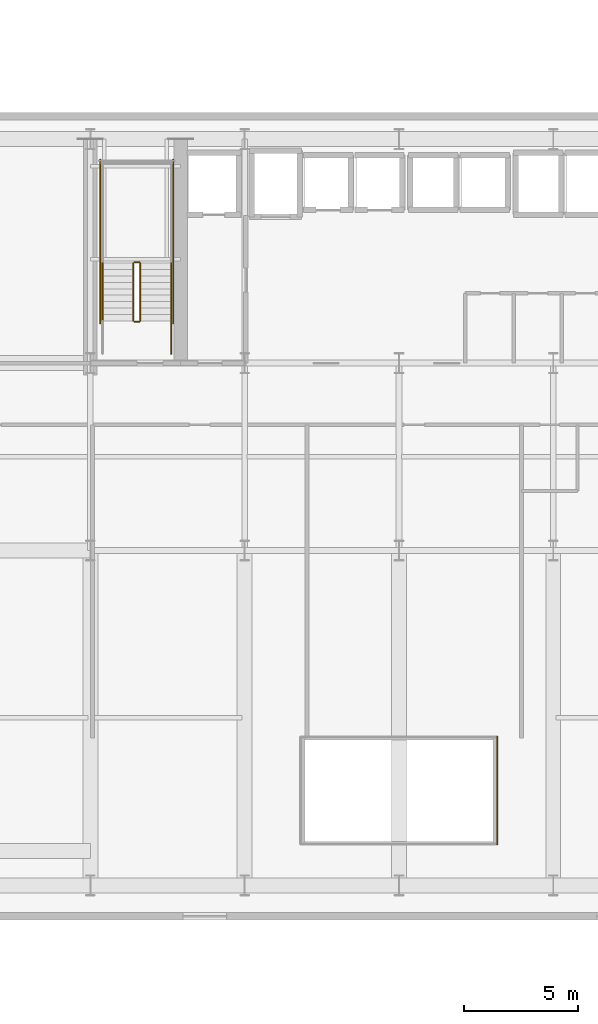
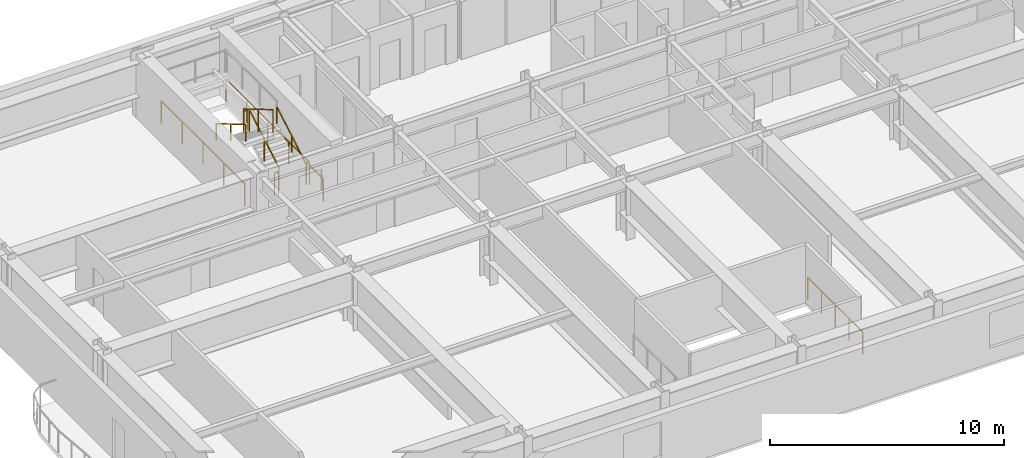
# One storey, part 13 of 18: 10 railings.
"""IFC4 building model written with IfcOpenShell, lengths in metres."""

import ifcopenshell
import ifcopenshell.guid

model = None  # the IFC model being written
_history = None  # IfcOwnerHistory: only IFC2X3 demands one
_inside = {}  # id of a spatial element -> (the spatial element, [elements in it])
_under = {}  # id of a project, library or spatial element -> (it, [spatial elements below it])
_declared = {}  # id of a project -> (the project, [libraries it declares])
_typed = {}  # id of a type object -> (the type object, [elements of that type])
_made_of = {}  # id of a material, layer set ... -> (it, [elements and type objects made of it])


def new_model(schema):
    """Start an empty IFC model of exactly this schema.

    Asked for "IFC4X3", IfcOpenShell would pick the latest addendum, in which some entities
    have other attributes; the version numbers below select the first issue.
    IFC2X3 requires an IfcOwnerHistory on every rooted entity: one is made here for all.
    """
    global model, _history
    if schema == "IFC4X3":
        model = ifcopenshell.file(schema_version=(4, 3, 0, 0))
    else:
        model = ifcopenshell.file(schema=schema)
    _inside.clear()
    _under.clear()
    _declared.clear()
    _typed.clear()
    _made_of.clear()
    _history = None
    if model.schema == "IFC2X3":
        org = make("IfcOrganization", Name="unknown")
        user = make(
            "IfcPersonAndOrganization",
            ThePerson=make("IfcPerson", FamilyName="unknown"),
            TheOrganization=org,
        )
        app = make(
            "IfcApplication",
            ApplicationDeveloper=org,
            Version="unknown",
            ApplicationFullName="unknown",
            ApplicationIdentifier="unknown",
        )
        _history = make(
            "IfcOwnerHistory",
            OwningUser=user,
            OwningApplication=app,
            ChangeAction="ADDED",
            CreationDate=0,
        )
    return model


def make(cls, **values):
    """One entity of the class cls with the attributes given. An attribute that is None is left unset."""
    return model.create_entity(
        cls, **{name: value for name, value in values.items() if value is not None}
    )


def rooted(cls, **values):
    """An entity with a GlobalId (a new one), such as an element, a storey or a relation."""
    return make(cls, GlobalId=ifcopenshell.guid.new(), OwnerHistory=_history, **values)


def si_unit(unit_type, name, prefix=None):
    """IfcSIUnit, for example si_unit("LENGTHUNIT", "METRE", prefix="MILLI")."""
    return make("IfcSIUnit", UnitType=unit_type, Prefix=prefix, Name=name)


def assignment(units):
    """IfcUnitAssignment: the units of a project."""
    return None if units is None else make("IfcUnitAssignment", Units=units)


def point(xyz):
    """IfcCartesianPoint."""
    return None if xyz is None else make("IfcCartesianPoint", Coordinates=xyz)


def direction(xyz):
    """IfcDirection."""
    return None if xyz is None else make("IfcDirection", DirectionRatios=xyz)


def frame(location, z_axis=None, x_axis=None):
    """IfcAxis2Placement3D, a coordinate frame: its origin and axes. An axis left out is left unset."""
    return make(
        "IfcAxis2Placement3D",
        Location=point(location),
        Axis=direction(z_axis),
        RefDirection=direction(x_axis),
    )


def frame_2d(location, x_axis=None):
    """IfcAxis2Placement2D, a coordinate frame in the plane: its origin and x axis."""
    return make(
        "IfcAxis2Placement2D", Location=point(location), RefDirection=direction(x_axis)
    )


def origin():
    """The frame at (0, 0, 0) with its axes left unset."""
    return frame((0.0, 0.0, 0.0))


def origin_2d():
    """The frame at (0, 0) in the plane with its x axis left unset."""
    return frame_2d((0.0, 0.0))


def place(relative_to, where):
    """IfcLocalPlacement: puts the frame where relative to a parent placement (None: the world)."""
    return make(
        "IfcLocalPlacement", PlacementRelTo=relative_to, RelativePlacement=where
    )


def context(
    kind, dimensions, precision=None, world=None, true_north=None, identifier=None
):
    """IfcGeometricRepresentationContext, for example the 3D "Model" context."""
    return make(
        "IfcGeometricRepresentationContext",
        ContextIdentifier=identifier,
        ContextType=kind,
        CoordinateSpaceDimension=dimensions,
        Precision=precision,
        WorldCoordinateSystem=world,
        TrueNorth=true_north,
    )


def subcontext(parent, identifier, kind, view, scale=None):
    """IfcGeometricRepresentationSubContext, for example "Body" below "Model"."""
    return make(
        "IfcGeometricRepresentationSubContext",
        ContextIdentifier=identifier,
        ContextType=kind,
        ParentContext=parent,
        TargetScale=scale,
        TargetView=view,
    )


def project(units=None, contexts=None):
    """IfcProject with its units and contexts."""
    return rooted(
        "IfcProject",
        Name="project",
        RepresentationContexts=contexts,
        UnitsInContext=assignment(units),
    )


def spatial(cls, under=None, at=None, **own):
    """A site, building, storey or space (cls), placed at a placement, below another one or the project."""
    s = rooted(cls, ObjectPlacement=at, **own)
    if under is not None:
        _under.setdefault(under.id(), (under, []))[1].append(s)
    return s


def profile(cls, at=None, kind="AREA", **sizes):
    """A parametric profile (cls). Its sizes go by their IFC names, for example OverallWidth=200.0."""
    return make(cls, ProfileType=kind, Position=at, **sizes)


def rectangle(**sizes):
    """IfcRectangleProfileDef."""
    return profile("IfcRectangleProfileDef", **sizes)


def extrude(swept, where, along, depth):
    """IfcExtrudedAreaSolid: the profile swept, set in the frame where, extruded along a direction by depth."""
    return make(
        "IfcExtrudedAreaSolid",
        SweptArea=swept,
        Position=where,
        ExtrudedDirection=direction(along),
        Depth=depth,
    )


def shape(context_of_items, identifier, shape_type, items):
    """IfcShapeRepresentation: the items that make up one representation, for example the "Body"."""
    return make(
        "IfcShapeRepresentation",
        ContextOfItems=context_of_items,
        RepresentationIdentifier=identifier,
        RepresentationType=shape_type,
        Items=items,
    )


def material(Name=None, Category=None):
    """IfcMaterial."""
    return make("IfcMaterial", Name=Name, Category=Category)


def made_of(thing, what):
    """Note that an element or type object is made of a material, layer set ...; save() writes the relation."""
    if what is not None:
        _made_of.setdefault(what.id(), (what, []))[1].append(thing)
    return thing


def type_object(cls, material=None, **own):
    """A type object (cls), such as IfcWallType, which elements share."""
    return made_of(rooted(cls, **own), material)


def element(
    cls,
    number,
    at=None,
    inside=None,
    cuts=None,
    type_object=None,
    material=None,
    context=None,
    identifier="Body",
    shape_type=None,
    held_by="IfcProductDefinitionShape",
    body=None,
    shapes=None,
    **own,
):
    """One element of the class cls, such as IfcWall. Its Tag is "e" and its number.

    at: its placement. inside: the storey or other place that contains it. cuts: it is an
    opening in that element (IfcRelVoidsElement). A single representation is given by context,
    identifier, shape_type and body (its items); several are given by shapes. held_by: the class
    of the entity that holds the representations. save() writes the other relations.
    """
    e = rooted(cls, Tag="e%d" % number, ObjectPlacement=at, **own)
    if body is not None:
        shapes = [shape(context, identifier, shape_type, body)]
    if shapes is not None:
        e.Representation = make(held_by, Representations=shapes)
    if inside is not None:
        _inside.setdefault(inside.id(), (inside, []))[1].append(e)
    if cuts is not None:
        rooted(
            "IfcRelVoidsElement", RelatingBuildingElement=cuts, RelatedOpeningElement=e
        )
    if type_object is not None:
        _typed.setdefault(type_object.id(), (type_object, []))[1].append(e)
    return made_of(e, material)


def aggregate(whole, parts):
    """IfcRelAggregates: a whole, such as a stair, and the parts it consists of."""
    return rooted("IfcRelAggregates", RelatingObject=whole, RelatedObjects=parts)


def save(model, path):
    """Write the relations noted so far, then the file.

    IfcRelAggregates (storeys below a building ...), IfcRelContainedInSpatialStructure (elements
    in a storey), IfcRelDefinesByType, IfcRelAssociatesMaterial and IfcRelDeclares: one each for
    every whole, place, type object, material and project.
    """
    for whole, parts in _under.values():
        aggregate(whole, parts)
    for where, things in _inside.values():
        rooted(
            "IfcRelContainedInSpatialStructure",
            RelatedElements=things,
            RelatingStructure=where,
        )
    for kind, things in _typed.values():
        rooted("IfcRelDefinesByType", RelatedObjects=things, RelatingType=kind)
    for what, things in _made_of.values():
        rooted("IfcRelAssociatesMaterial", RelatedObjects=things, RelatingMaterial=what)
    for by, libraries in _declared.values():
        rooted("IfcRelDeclares", RelatingContext=by, RelatedDefinitions=libraries)
    model.write(path)


model = new_model("IFC4")

# Units and contexts
model_context = context("Model", 3, precision=1e-05, world=origin(), true_north=direction((0.0, 1.0)))
body_context = subcontext(model_context, "Body", "Model", "MODEL_VIEW")
ifc_project = project(units=[si_unit("LENGTHUNIT", "METRE"), si_unit("AREAUNIT", "SQUARE_METRE"), si_unit("VOLUMEUNIT", "CUBIC_METRE"), si_unit("PLANEANGLEUNIT", "RADIAN"), si_unit("MASSUNIT", "GRAM", prefix="KILO")], contexts=[model_context])

# Site, building, storey
site_placement = place(None, origin())
site = spatial("IfcSite", under=ifc_project, at=site_placement, CompositionType="ELEMENT")
building_placement = place(site_placement, origin())
building = spatial("IfcBuilding", under=site, at=building_placement, Name="Haevon Station Towers", CompositionType="ELEMENT")
storey_placement = place(building_placement, frame((0.0, 0.0, 47.10009765625)))
storey = spatial("IfcBuildingStorey", under=building, at=storey_placement, Name="L11", CompositionType="ELEMENT", Elevation=47.10009765625)

# Railings
ifc_material = material(Name="Steel S355", Category="steel")
railing_type_1 = type_object("IfcRailingType", Name="BAL-ATR1200", PredefinedType="BALUSTRADE", material=ifc_material)
railing_1_placement = place(storey_placement, frame((41.80517578125, 17.142333984375, 0.0)))
element("IfcRailing", 1, at=railing_1_placement, inside=storey, type_object=railing_type_1, Name="L11 Atrium Void Balustrade 2", PredefinedType="BALUSTRADE", context=body_context, shape_type="SweptSolid", body=[
    extrude(rectangle(XDim=0.048095703125, YDim=0.048095703125, at=origin_2d()), frame((0.0, 0.0, 1.17578125), z_axis=(0.0, 1.0, 0.0), x_axis=(-1.0, 0.0, 0.0)), (0.0, 0.0, 1.0), 4.71533203125),
    extrude(rectangle(XDim=0.0419921875, YDim=0.0419921875, at=origin_2d()), origin(), (0.0, 0.0, 1.0), 1.15185546875),
    extrude(rectangle(XDim=0.0419921875, YDim=0.0419921875, at=origin_2d()), frame((0.0, 1.1787109375, 0.0)), (0.0, 0.0, 1.0), 1.15185546875),
    extrude(rectangle(XDim=0.0419921875, YDim=0.0419921875, at=origin_2d()), frame((0.0, 2.357666015625, 0.0)), (0.0, 0.0, 1.0), 1.15185546875),
    extrude(rectangle(XDim=0.0419921875, YDim=0.0419921875, at=origin_2d()), frame((0.0, 3.53662109375, 0.0)), (0.0, 0.0, 1.0), 1.15185546875),
    extrude(rectangle(XDim=0.0419921875, YDim=0.0419921875, at=origin_2d()), frame((0.0, 4.71533203125, 0.0)), (0.0, 0.0, 1.0), 1.15185546875),
])
railing_type_2 = type_object("IfcRailingType", Name="GRD-STR1200", PredefinedType="GUARDRAIL", material=ifc_material)
railing_2_placement = place(storey_placement, frame((26.179931640625, 40.050048828125, 0.164794921875)))
element("IfcRailing", 2, at=railing_2_placement, inside=storey, type_object=railing_type_2, Name="L11 ST1 Stair Guard 1", PredefinedType="GUARDRAIL", context=body_context, shape_type="SweptSolid", body=[
    extrude(rectangle(XDim=0.048095703125, YDim=0.048095703125, at=origin_2d()), frame((0.0, 0.0, 1.17578125), z_axis=(0.0, 0.86152411907, 0.507716645641), x_axis=(-1.0, 0.0, 0.0)), (0.0, 0.0, 1.0), 2.925048828125),
    extrude(rectangle(XDim=0.0419921875, YDim=0.0419921875, at=origin_2d()), origin(), (0.0, 0.0, 1.0), 1.15185546875),
    extrude(rectangle(XDim=0.0419921875, YDim=0.0419921875, at=origin_2d()), frame((0.0, 1.260009765625, 0.74267578125)), (0.0, 0.0, 1.0), 1.15185546875),
    extrude(rectangle(XDim=0.0419921875, YDim=0.0419921875, at=origin_2d()), frame((0.0, 2.52001953125, 1.485107421875)), (0.0, 0.0, 1.0), 1.15185546875),
])
railing_3_placement = place(storey_placement, frame((26.1298828125, 42.6201171875, 1.64990234375)))
element("IfcRailing", 3, at=railing_3_placement, inside=storey, type_object=railing_type_2, Name="L11 ST1 Stair Guard 2", PredefinedType="GUARDRAIL", context=body_context, shape_type="SweptSolid", body=[
    extrude(rectangle(XDim=0.048095703125, YDim=0.048095703125, at=origin_2d()), frame((0.0, 0.0, 1.17578125), z_axis=(-1.0, 0.0, 0.0), x_axis=(0.0, -1.0, 0.0)), (0.0, 0.0, 1.0), 0.199951171875),
    extrude(rectangle(XDim=0.0419921875, YDim=0.0419921875, at=origin_2d()), origin(), (0.0, 0.0, 1.0), 1.15185546875),
    extrude(rectangle(XDim=0.0419921875, YDim=0.0419921875, at=origin_2d()), frame((-0.199951171875, 0.0, 0.0)), (0.0, 0.0, 1.0), 1.15185546875),
])
railing_4_placement = place(storey_placement, frame((25.8798828125, 42.570068359375, 1.81494140625)))
element("IfcRailing", 4, at=railing_4_placement, inside=storey, type_object=railing_type_2, Name="L11 ST1 Stair Guard 6", PredefinedType="GUARDRAIL", context=body_context, shape_type="SweptSolid", body=[
    extrude(rectangle(XDim=0.048095703125, YDim=0.048095703125, at=origin_2d()), frame((0.0, 0.0, 1.17578125), z_axis=(0.0, -0.861560626758, 0.507654692109), x_axis=(1.0, 0.0, 0.0)), (0.0, 0.0, 1.0), 2.925048828125),
    extrude(rectangle(XDim=0.0419921875, YDim=0.0419921875, at=origin_2d()), origin(), (0.0, 0.0, 1.0), 1.15185546875),
    extrude(rectangle(XDim=0.0419921875, YDim=0.0419921875, at=origin_2d()), frame((0.0, -1.260009765625, 0.742431640625)), (0.0, 0.0, 1.0), 1.15185546875),
    extrude(rectangle(XDim=0.0419921875, YDim=0.0419921875, at=origin_2d()), frame((0.0, -2.52001953125, 1.48486328125)), (0.0, 0.0, 1.0), 1.15185546875),
])
railing_5_placement = place(storey_placement, frame((26.1298828125, 40.0, 0.0)))
element("IfcRailing", 5, at=railing_5_placement, inside=storey, type_object=railing_type_2, Name="L11 ST1 Stair Guard 7", PredefinedType="GUARDRAIL", context=body_context, shape_type="SweptSolid", body=[
    extrude(rectangle(XDim=0.048095703125, YDim=0.048095703125, at=origin_2d()), frame((0.0, 0.0, 1.17578125), z_axis=(-1.0, 0.0, 0.0), x_axis=(0.0, -1.0, 0.0)), (0.0, 0.0, 1.0), 0.199951171875),
    extrude(rectangle(XDim=0.0419921875, YDim=0.0419921875, at=origin_2d()), origin(), (0.0, 0.0, 1.0), 1.15185546875),
    extrude(rectangle(XDim=0.0419921875, YDim=0.0419921875, at=origin_2d()), frame((-0.199951171875, 0.0, 0.0)), (0.0, 0.0, 1.0), 1.15185546875),
])
railing_6_placement = place(storey_placement, frame((27.530029296875, 38.60009765625, 0.0)))
element("IfcRailing", 6, at=railing_6_placement, inside=storey, type_object=railing_type_2, Name="L11 ST1 Stair Guard 8", PredefinedType="GUARDRAIL", context=body_context, shape_type="SweptSolid", body=[
    extrude(rectangle(XDim=0.048095703125, YDim=0.048095703125, at=origin_2d()), frame((0.0, 0.0, 1.17578125), z_axis=(0.0, 1.0, 0.0), x_axis=(-1.0, 0.0, 0.0)), (0.0, 0.0, 1.0), 1.449951171875),
    extrude(rectangle(XDim=0.0419921875, YDim=0.0419921875, at=origin_2d()), origin(), (0.0, 0.0, 1.0), 1.15185546875),
    extrude(rectangle(XDim=0.0419921875, YDim=0.0419921875, at=origin_2d()), frame((0.0, 1.449951171875, 0.0)), (0.0, 0.0, 1.0), 1.15185546875),
])
for number, where, name in (
    (7, (27.6298828125, 39.949951171875, 0.0), "L11 ST1 Stair Guard 10"),
    (8, (24.429931640625, 39.949951171875, 0.0), "L11 ST1 Stair Guard 11"),
):
    element("IfcRailing", number, at=place(storey_placement, frame(where)), inside=storey, type_object=railing_type_2, Name=name, PredefinedType="GUARDRAIL", context=body_context, shape_type="SweptSolid", body=[
        extrude(rectangle(XDim=0.048095703125, YDim=0.048095703125, at=origin_2d()), frame((0.0, 0.0, 1.17578125), z_axis=(0.0, 1.0, 0.0), x_axis=(-1.0, 0.0, 0.0)), (0.0, 0.0, 1.0), 7.150146484375),
        extrude(rectangle(XDim=0.0419921875, YDim=0.0419921875, at=origin_2d()), origin(), (0.0, 0.0, 1.0), 1.15185546875),
        extrude(rectangle(XDim=0.0419921875, YDim=0.0419921875, at=origin_2d()), frame((0.0, 1.78759765625, 0.0)), (0.0, 0.0, 1.0), 1.15185546875),
        extrude(rectangle(XDim=0.0419921875, YDim=0.0419921875, at=origin_2d()), frame((0.0, 3.5751953125, 0.0)), (0.0, 0.0, 1.0), 1.15185546875),
        extrude(rectangle(XDim=0.0419921875, YDim=0.0419921875, at=origin_2d()), frame((0.0, 5.362548828125, 0.0)), (0.0, 0.0, 1.0), 1.15185546875),
        extrude(rectangle(XDim=0.0419921875, YDim=0.0419921875, at=origin_2d()), frame((0.0, 7.150146484375, 0.0)), (0.0, 0.0, 1.0), 1.15185546875),
    ])
railing_type_3 = type_object("IfcRailingType", Name="HND-STR900", PredefinedType="HANDRAIL", material=ifc_material)
railing_7_placement = place(storey_placement, frame((27.530029296875, 40.050048828125, 0.164794921875)))
element("IfcRailing", 9, at=railing_7_placement, inside=storey, type_object=railing_type_3, Name="L11 ST1 Stair Handrail 1", PredefinedType="HANDRAIL", context=body_context, shape_type="SweptSolid", body=[
    extrude(rectangle(XDim=0.048095703125, YDim=0.048095703125, at=origin_2d()), frame((0.0, 0.0, 0.8759765625), z_axis=(0.0, 0.86152411907, 0.507716645641), x_axis=(-1.0, 0.0, 0.0)), (0.0, 0.0, 1.0), 2.925048828125),
    extrude(rectangle(XDim=0.0419921875, YDim=0.0419921875, at=origin_2d()), origin(), (0.0, 0.0, 1.0), 0.851806640625),
    extrude(rectangle(XDim=0.0419921875, YDim=0.0419921875, at=origin_2d()), frame((0.0, 1.260009765625, 0.74267578125)), (0.0, 0.0, 1.0), 0.851806640625),
    extrude(rectangle(XDim=0.0419921875, YDim=0.0419921875, at=origin_2d()), frame((0.0, 2.52001953125, 1.485107421875)), (0.0, 0.0, 1.0), 0.851806640625),
])
railing_8_placement = place(storey_placement, frame((24.530029296875, 42.570068359375, 1.81494140625)))
element("IfcRailing", 10, at=railing_8_placement, inside=storey, type_object=railing_type_3, Name="L11 ST1 Stair Handrail 2", PredefinedType="HANDRAIL", context=body_context, shape_type="SweptSolid", body=[
    extrude(rectangle(XDim=0.048095703125, YDim=0.048095703125, at=origin_2d()), frame((0.0, 0.0, 0.8759765625), z_axis=(0.0, -0.861560626758, 0.507654692109), x_axis=(1.0, 0.0, 0.0)), (0.0, 0.0, 1.0), 2.925048828125),
    extrude(rectangle(XDim=0.0419921875, YDim=0.0419921875, at=origin_2d()), origin(), (0.0, 0.0, 1.0), 0.851806640625),
    extrude(rectangle(XDim=0.0419921875, YDim=0.0419921875, at=origin_2d()), frame((0.0, -1.260009765625, 0.742431640625)), (0.0, 0.0, 1.0), 0.851806640625),
    extrude(rectangle(XDim=0.0419921875, YDim=0.0419921875, at=origin_2d()), frame((0.0, -2.52001953125, 1.48486328125)), (0.0, 0.0, 1.0), 0.851806640625),
])

save(model, "model.ifc")
